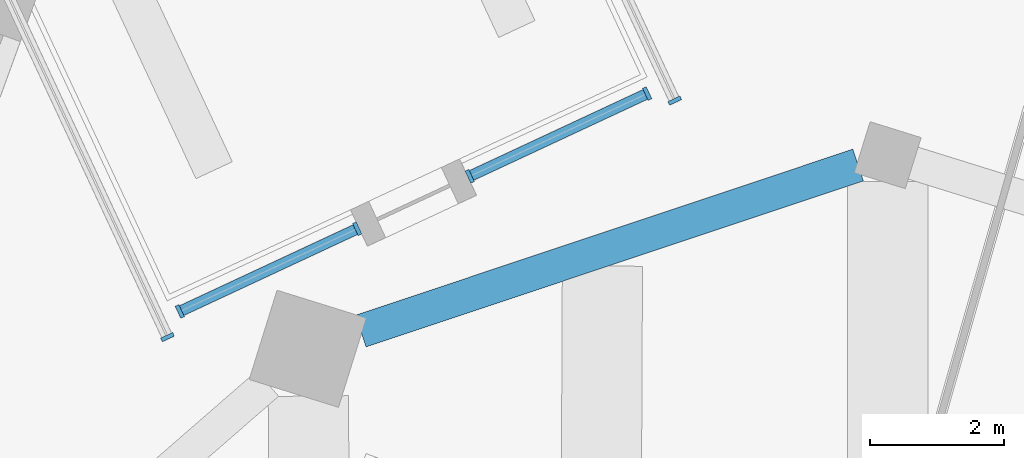
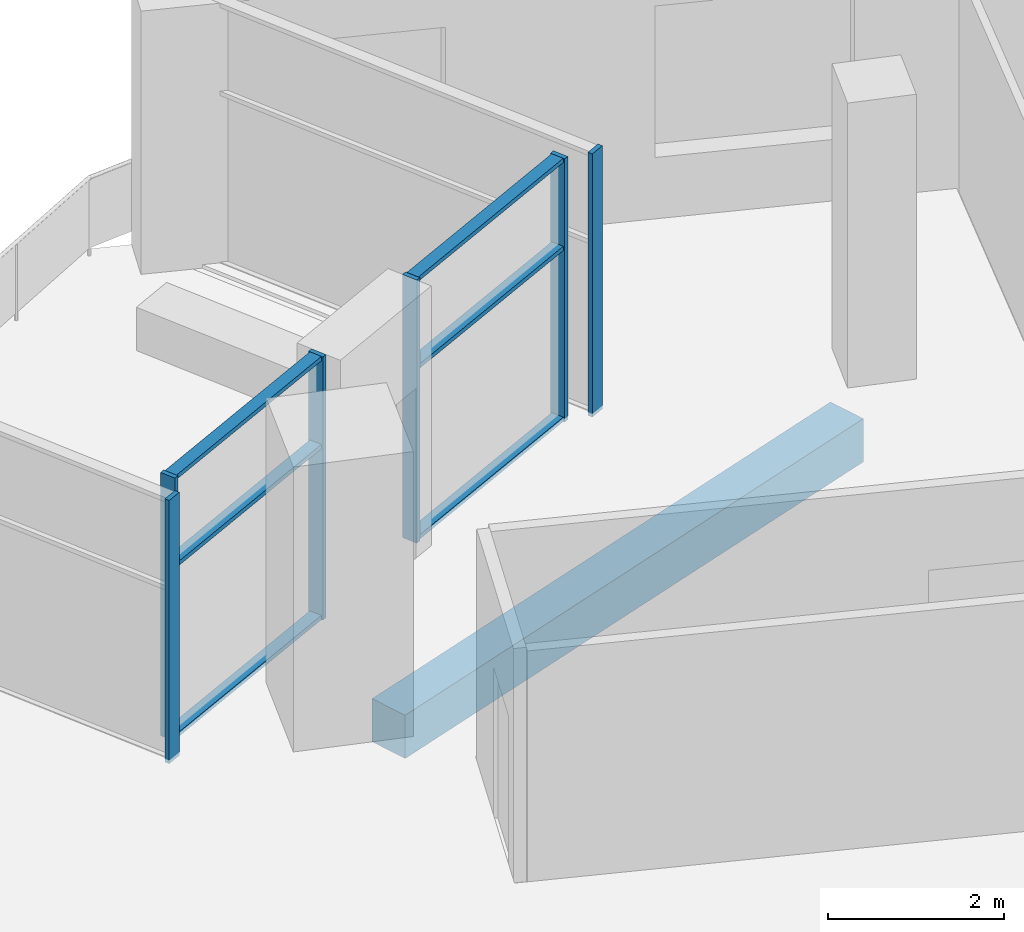
# One storey, part 2 of 13: 12 members, 1 beam, 4 elements without a shape of their own.
"""IFC4 building model written with IfcOpenShell, lengths in metres."""

import ifcopenshell
import ifcopenshell.guid

model = None  # the IFC model being written
_history = None  # IfcOwnerHistory: only IFC2X3 demands one
_inside = {}  # id of a spatial element -> (the spatial element, [elements in it])
_under = {}  # id of a project, library or spatial element -> (it, [spatial elements below it])
_declared = {}  # id of a project -> (the project, [libraries it declares])
_typed = {}  # id of a type object -> (the type object, [elements of that type])
_made_of = {}  # id of a material, layer set ... -> (it, [elements and type objects made of it])


def new_model(schema):
    """Start an empty IFC model of exactly this schema.

    Asked for "IFC4X3", IfcOpenShell would pick the latest addendum, in which some entities
    have other attributes; the version numbers below select the first issue.
    IFC2X3 requires an IfcOwnerHistory on every rooted entity: one is made here for all.
    """
    global model, _history
    if schema == "IFC4X3":
        model = ifcopenshell.file(schema_version=(4, 3, 0, 0))
    else:
        model = ifcopenshell.file(schema=schema)
    _inside.clear()
    _under.clear()
    _declared.clear()
    _typed.clear()
    _made_of.clear()
    _history = None
    if model.schema == "IFC2X3":
        org = make("IfcOrganization", Name="unknown")
        user = make(
            "IfcPersonAndOrganization",
            ThePerson=make("IfcPerson", FamilyName="unknown"),
            TheOrganization=org,
        )
        app = make(
            "IfcApplication",
            ApplicationDeveloper=org,
            Version="unknown",
            ApplicationFullName="unknown",
            ApplicationIdentifier="unknown",
        )
        _history = make(
            "IfcOwnerHistory",
            OwningUser=user,
            OwningApplication=app,
            ChangeAction="ADDED",
            CreationDate=0,
        )
    return model


def make(cls, **values):
    """One entity of the class cls with the attributes given. An attribute that is None is left unset."""
    return model.create_entity(
        cls, **{name: value for name, value in values.items() if value is not None}
    )


def rooted(cls, **values):
    """An entity with a GlobalId (a new one), such as an element, a storey or a relation."""
    return make(cls, GlobalId=ifcopenshell.guid.new(), OwnerHistory=_history, **values)


def si_unit(unit_type, name, prefix=None):
    """IfcSIUnit, for example si_unit("LENGTHUNIT", "METRE", prefix="MILLI")."""
    return make("IfcSIUnit", UnitType=unit_type, Prefix=prefix, Name=name)


def assignment(units):
    """IfcUnitAssignment: the units of a project."""
    return None if units is None else make("IfcUnitAssignment", Units=units)


def point(xyz):
    """IfcCartesianPoint."""
    return None if xyz is None else make("IfcCartesianPoint", Coordinates=xyz)


def direction(xyz):
    """IfcDirection."""
    return None if xyz is None else make("IfcDirection", DirectionRatios=xyz)


def frame(location, z_axis=None, x_axis=None):
    """IfcAxis2Placement3D, a coordinate frame: its origin and axes. An axis left out is left unset."""
    return make(
        "IfcAxis2Placement3D",
        Location=point(location),
        Axis=direction(z_axis),
        RefDirection=direction(x_axis),
    )


def frame_2d(location, x_axis=None):
    """IfcAxis2Placement2D, a coordinate frame in the plane: its origin and x axis."""
    return make(
        "IfcAxis2Placement2D", Location=point(location), RefDirection=direction(x_axis)
    )


def origin():
    """The frame at (0, 0, 0) with its axes left unset."""
    return frame((0.0, 0.0, 0.0))


def origin_2d():
    """The frame at (0, 0) in the plane with its x axis left unset."""
    return frame_2d((0.0, 0.0))


def place(relative_to, where):
    """IfcLocalPlacement: puts the frame where relative to a parent placement (None: the world)."""
    return make(
        "IfcLocalPlacement", PlacementRelTo=relative_to, RelativePlacement=where
    )


def context(
    kind, dimensions, precision=None, world=None, true_north=None, identifier=None
):
    """IfcGeometricRepresentationContext, for example the 3D "Model" context."""
    return make(
        "IfcGeometricRepresentationContext",
        ContextIdentifier=identifier,
        ContextType=kind,
        CoordinateSpaceDimension=dimensions,
        Precision=precision,
        WorldCoordinateSystem=world,
        TrueNorth=true_north,
    )


def subcontext(parent, identifier, kind, view, scale=None):
    """IfcGeometricRepresentationSubContext, for example "Body" below "Model"."""
    return make(
        "IfcGeometricRepresentationSubContext",
        ContextIdentifier=identifier,
        ContextType=kind,
        ParentContext=parent,
        TargetScale=scale,
        TargetView=view,
    )


def project(units=None, contexts=None):
    """IfcProject with its units and contexts."""
    return rooted(
        "IfcProject",
        Name="project",
        RepresentationContexts=contexts,
        UnitsInContext=assignment(units),
    )


def spatial(cls, under=None, at=None, **own):
    """A site, building, storey or space (cls), placed at a placement, below another one or the project."""
    s = rooted(cls, ObjectPlacement=at, **own)
    if under is not None:
        _under.setdefault(under.id(), (under, []))[1].append(s)
    return s


def profile(cls, at=None, kind="AREA", **sizes):
    """A parametric profile (cls). Its sizes go by their IFC names, for example OverallWidth=200.0."""
    return make(cls, ProfileType=kind, Position=at, **sizes)


def rectangle(**sizes):
    """IfcRectangleProfileDef."""
    return profile("IfcRectangleProfileDef", **sizes)


def extrude(swept, where, along, depth):
    """IfcExtrudedAreaSolid: the profile swept, set in the frame where, extruded along a direction by depth."""
    return make(
        "IfcExtrudedAreaSolid",
        SweptArea=swept,
        Position=where,
        ExtrudedDirection=direction(along),
        Depth=depth,
    )


def shape(context_of_items, identifier, shape_type, items):
    """IfcShapeRepresentation: the items that make up one representation, for example the "Body"."""
    return make(
        "IfcShapeRepresentation",
        ContextOfItems=context_of_items,
        RepresentationIdentifier=identifier,
        RepresentationType=shape_type,
        Items=items,
    )


def material(Name=None, Category=None):
    """IfcMaterial."""
    return make("IfcMaterial", Name=Name, Category=Category)


def material_profile(
    of_material, cross_section, Name=None, Category=None, Priority=None
):
    """IfcMaterialProfile: a cross section and its material."""
    return make(
        "IfcMaterialProfile",
        Name=Name,
        Material=of_material,
        Profile=cross_section,
        Priority=Priority,
        Category=Category,
    )


def profile_set(profiles, Name=None, composite=None):
    """IfcMaterialProfileSet."""
    return make(
        "IfcMaterialProfileSet",
        Name=Name,
        MaterialProfiles=profiles,
        CompositeProfile=composite,
    )


def made_of(thing, what):
    """Note that an element or type object is made of a material, layer set ...; save() writes the relation."""
    if what is not None:
        _made_of.setdefault(what.id(), (what, []))[1].append(thing)
    return thing


def type_object(cls, material=None, **own):
    """A type object (cls), such as IfcWallType, which elements share."""
    return made_of(rooted(cls, **own), material)


def element(
    cls,
    number,
    at=None,
    inside=None,
    cuts=None,
    type_object=None,
    material=None,
    context=None,
    identifier="Body",
    shape_type=None,
    held_by="IfcProductDefinitionShape",
    body=None,
    shapes=None,
    **own,
):
    """One element of the class cls, such as IfcWall. Its Tag is "e" and its number.

    at: its placement. inside: the storey or other place that contains it. cuts: it is an
    opening in that element (IfcRelVoidsElement). A single representation is given by context,
    identifier, shape_type and body (its items); several are given by shapes. held_by: the class
    of the entity that holds the representations. save() writes the other relations.
    """
    e = rooted(cls, Tag="e%d" % number, ObjectPlacement=at, **own)
    if body is not None:
        shapes = [shape(context, identifier, shape_type, body)]
    if shapes is not None:
        e.Representation = make(held_by, Representations=shapes)
    if inside is not None:
        _inside.setdefault(inside.id(), (inside, []))[1].append(e)
    if cuts is not None:
        rooted(
            "IfcRelVoidsElement", RelatingBuildingElement=cuts, RelatedOpeningElement=e
        )
    if type_object is not None:
        _typed.setdefault(type_object.id(), (type_object, []))[1].append(e)
    return made_of(e, material)


def aggregate(whole, parts):
    """IfcRelAggregates: a whole, such as a stair, and the parts it consists of."""
    return rooted("IfcRelAggregates", RelatingObject=whole, RelatedObjects=parts)


def save(model, path):
    """Write the relations noted so far, then the file.

    IfcRelAggregates (storeys below a building ...), IfcRelContainedInSpatialStructure (elements
    in a storey), IfcRelDefinesByType, IfcRelAssociatesMaterial and IfcRelDeclares: one each for
    every whole, place, type object, material and project.
    """
    for whole, parts in _under.values():
        aggregate(whole, parts)
    for where, things in _inside.values():
        rooted(
            "IfcRelContainedInSpatialStructure",
            RelatedElements=things,
            RelatingStructure=where,
        )
    for kind, things in _typed.values():
        rooted("IfcRelDefinesByType", RelatedObjects=things, RelatingType=kind)
    for what, things in _made_of.values():
        rooted("IfcRelAssociatesMaterial", RelatedObjects=things, RelatingMaterial=what)
    for by, libraries in _declared.values():
        rooted("IfcRelDeclares", RelatingContext=by, RelatedDefinitions=libraries)
    model.write(path)


model = new_model("IFC4")

# Units and contexts
model_context = context("Model", 3, precision=1e-05, world=origin(), true_north=direction((0.0, 1.0)))
body_context = subcontext(model_context, "Body", "Model", "MODEL_VIEW")
ifc_project = project(units=[si_unit("LENGTHUNIT", "METRE"), si_unit("AREAUNIT", "SQUARE_METRE"), si_unit("VOLUMEUNIT", "CUBIC_METRE"), si_unit("PLANEANGLEUNIT", "RADIAN"), si_unit("MASSUNIT", "GRAM", prefix="KILO")], contexts=[model_context])

# Site, building, storey
site_placement = place(None, origin())
site = spatial("IfcSite", under=ifc_project, at=site_placement, CompositionType="ELEMENT")
building_placement = place(site_placement, origin())
building = spatial("IfcBuilding", under=site, at=building_placement, Name="Dilmun Exchange Tower", CompositionType="ELEMENT")
storey_placement = place(building_placement, frame((0.0, 0.0, 312.5)))
storey = spatial("IfcBuildingStorey", under=building, at=storey_placement, Name="L74", CompositionType="ELEMENT", Elevation=312.5)

# Curtain wall, member
ifc_material_1 = material(Name="Anodised aluminium and clear glass", Category="aluminium")
curtain_wall_type = type_object("IfcCurtainWallType", Name="Garden corner glazing", PredefinedType="NOTDEFINED", material=ifc_material_1)
curtain_wall_1_placement = place(storey_placement, origin())
curtain_wall_1 = element("IfcCurtainWall", 1, at=curtain_wall_1_placement, inside=storey, type_object=curtain_wall_type, Name="Garden corner glazing run GC1.1", PredefinedType="NOTDEFINED")
ifc_material_2 = material(Name="Anodised aluminium", Category="aluminium")
ifc_material_profile_1 = material_profile(ifc_material_2, rectangle(XDim=0.199951171875, YDim=0.06005859375, at=origin_2d()), Name="AL 60x200")
ifc_profile_set_1 = profile_set([ifc_material_profile_1], Name="Anodised aluminium")
member_type_1 = type_object("IfcMemberType", Name="Garden corner glazing mullion 60 x 200", PredefinedType="MULLION", material=ifc_profile_set_1)
member_1_placement = place(storey_placement, frame((-7.043701171875, 30.037109375, 0.0), z_axis=(0.0, 0.0, 1.0), x_axis=(0.906305390357, 0.4226234014, 0.0)))
member_1 = element("IfcMember", 2, at=member_1_placement, type_object=member_type_1, Name="GC1.1 mullion 2", PredefinedType="MULLION", context=body_context, shape_type="SweptSolid", body=[
    extrude(rectangle(XDim=0.199951171875, YDim=0.06005859375, at=origin_2d()), origin(), (0.0, 0.0, 1.0), 3.64990234375),
])
aggregate(curtain_wall_1, [member_1])

# Curtain wall, members
curtain_wall_2_placement = place(storey_placement, origin())
curtain_wall_2 = element("IfcCurtainWall", 3, at=curtain_wall_2_placement, inside=storey, type_object=curtain_wall_type, Name="Garden corner glazing run GC2.1", PredefinedType="NOTDEFINED")
member_2_placement = place(storey_placement, frame((-7.456787109375, 30.142333984375, 0.0), z_axis=(0.0, 0.0, 1.0), x_axis=(0.422610719535, -0.906311303987, 0.0)))
member_2 = element("IfcMember", 4, at=member_2_placement, type_object=member_type_1, Name="GC2.1 mullion 1", PredefinedType="MULLION", context=body_context, shape_type="SweptSolid", body=[
    extrude(rectangle(XDim=0.199951171875, YDim=0.06005859375, at=origin_2d()), origin(), (0.0, 0.0, 1.0), 3.64990234375),
])
member_3_placement = place(storey_placement, frame((-10.111572265625, 28.904296875, 0.0), z_axis=(0.0, 0.0, 1.0), x_axis=(0.422610719535, -0.906311303987, 0.0)))
member_3 = element("IfcMember", 5, at=member_3_placement, type_object=member_type_1, Name="GC2.1 mullion 2", PredefinedType="MULLION", context=body_context, shape_type="SweptSolid", body=[
    extrude(rectangle(XDim=0.199951171875, YDim=0.06005859375, at=origin_2d()), origin(), (0.0, 0.0, 1.0), 3.64990234375),
])

curtain_wall_3_placement = place(storey_placement, origin())
curtain_wall_3 = element("IfcCurtainWall", 6, at=curtain_wall_3_placement, inside=storey, type_object=curtain_wall_type, Name="Garden corner glazing run GC2.3", PredefinedType="NOTDEFINED")
member_4_placement = place(storey_placement, frame((-11.79736328125, 28.1181640625, 0.0), z_axis=(0.0, 0.0, 1.0), x_axis=(0.422610719535, -0.906311303987, 0.0)))
member_4 = element("IfcMember", 7, at=member_4_placement, type_object=member_type_1, Name="GC2.3 mullion 1", PredefinedType="MULLION", context=body_context, shape_type="SweptSolid", body=[
    extrude(rectangle(XDim=0.199951171875, YDim=0.06005859375, at=origin_2d()), origin(), (0.0, 0.0, 1.0), 3.64990234375),
])
member_5_placement = place(storey_placement, frame((-14.451904296875, 26.88037109375, 0.0), z_axis=(0.0, 0.0, 1.0), x_axis=(0.422610719535, -0.906311303987, 0.0)))
member_5 = element("IfcMember", 8, at=member_5_placement, type_object=member_type_1, Name="GC2.3 mullion 2", PredefinedType="MULLION", context=body_context, shape_type="SweptSolid", body=[
    extrude(rectangle(XDim=0.199951171875, YDim=0.06005859375, at=origin_2d()), origin(), (0.0, 0.0, 1.0), 3.64990234375),
])

# Curtain wall, member
curtain_wall_4_placement = place(storey_placement, origin())
curtain_wall_4 = element("IfcCurtainWall", 9, at=curtain_wall_4_placement, inside=storey, type_object=curtain_wall_type, Name="Garden corner glazing run GC3.1", PredefinedType="NOTDEFINED")
member_6_placement = place(storey_placement, frame((-14.636962890625, 26.49609375, 0.0), z_axis=(0.0, 0.0, 1.0), x_axis=(-0.906305390357, -0.4226234014, 0.0)))
member_6 = element("IfcMember", 10, at=member_6_placement, type_object=member_type_1, Name="GC3.1 mullion 1", PredefinedType="MULLION", context=body_context, shape_type="SweptSolid", body=[
    extrude(rectangle(XDim=0.199951171875, YDim=0.06005859375, at=origin_2d()), origin(), (0.0, 0.0, 1.0), 3.64990234375),
])
aggregate(curtain_wall_4, [member_6])

# Member
ifc_material_profile_2 = material_profile(ifc_material_2, rectangle(XDim=0.159912109375, YDim=0.06005859375, at=origin_2d()), Name="AL 60x160")
ifc_profile_set_2 = profile_set([ifc_material_profile_2], Name="Anodised aluminium")
member_type_2 = type_object("IfcMemberType", Name="Garden corner glazing transom 60 x 160", PredefinedType="USERDEFINED", material=ifc_profile_set_2)
member_7_placement = place(storey_placement, frame((-7.484130859375, 30.129638671875, 0.030029296875), z_axis=(-0.906280946012, -0.422675817732, 0.0), x_axis=(0.422675817732, -0.906280946012, 0.0)))
member_7 = element("IfcMember", 11, at=member_7_placement, type_object=member_type_2, Name="GC2.1 transom 1.1", ObjectType="TRANSOM", PredefinedType="USERDEFINED", context=body_context, shape_type="SweptSolid", body=[
    extrude(rectangle(XDim=0.159912109375, YDim=0.06005859375, at=origin_2d()), origin(), (0.0, 0.0, 1.0), 2.868896484375),
])

member_8_placement = place(storey_placement, frame((-7.484130859375, 30.129638671875, 2.39990234375), z_axis=(-0.906280946012, -0.422675817732, 0.0), x_axis=(0.422675817732, -0.906280946012, 0.0)))
member_8 = element("IfcMember", 12, at=member_8_placement, type_object=member_type_2, Name="GC2.1 transom 1.2", ObjectType="TRANSOM", PredefinedType="USERDEFINED", context=body_context, shape_type="SweptSolid", body=[
    extrude(rectangle(XDim=0.159912109375, YDim=0.06005859375, at=origin_2d()), origin(), (0.0, 0.0, 1.0), 2.868896484375),
])

member_9_placement = place(storey_placement, frame((-7.484130859375, 30.129638671875, 3.6201171875), z_axis=(-0.906280946012, -0.422675817732, 0.0), x_axis=(0.422675817732, -0.906280946012, 0.0)))
member_9 = element("IfcMember", 13, at=member_9_placement, type_object=member_type_2, Name="GC2.1 transom 1.3", ObjectType="TRANSOM", PredefinedType="USERDEFINED", context=body_context, shape_type="SweptSolid", body=[
    extrude(rectangle(XDim=0.159912109375, YDim=0.06005859375, at=origin_2d()), origin(), (0.0, 0.0, 1.0), 2.868896484375),
])

aggregate(curtain_wall_2, [member_2, member_3, member_7, member_8, member_9])

member_10_placement = place(storey_placement, frame((-11.824462890625, 28.10546875, 0.030029296875), z_axis=(-0.906328738646, -0.422573327961, 0.0), x_axis=(0.422573327961, -0.906328738646, 0.0)))
member_10 = element("IfcMember", 14, at=member_10_placement, type_object=member_type_2, Name="GC2.3 transom 1.1", ObjectType="TRANSOM", PredefinedType="USERDEFINED", context=body_context, shape_type="SweptSolid", body=[
    extrude(rectangle(XDim=0.159912109375, YDim=0.06005859375, at=origin_2d()), origin(), (0.0, 0.0, 1.0), 2.869140625),
])

member_11_placement = place(storey_placement, frame((-11.824462890625, 28.10546875, 2.39990234375), z_axis=(-0.906328738646, -0.422573327961, 0.0), x_axis=(0.422573327961, -0.906328738646, 0.0)))
member_11 = element("IfcMember", 15, at=member_11_placement, type_object=member_type_2, Name="GC2.3 transom 1.2", ObjectType="TRANSOM", PredefinedType="USERDEFINED", context=body_context, shape_type="SweptSolid", body=[
    extrude(rectangle(XDim=0.159912109375, YDim=0.06005859375, at=origin_2d()), origin(), (0.0, 0.0, 1.0), 2.869140625),
])

member_12_placement = place(storey_placement, frame((-11.824462890625, 28.10546875, 3.6201171875), z_axis=(-0.906328738646, -0.422573327961, 0.0), x_axis=(0.422573327961, -0.906328738646, 0.0)))
member_12 = element("IfcMember", 16, at=member_12_placement, type_object=member_type_2, Name="GC2.3 transom 1.3", ObjectType="TRANSOM", PredefinedType="USERDEFINED", context=body_context, shape_type="SweptSolid", body=[
    extrude(rectangle(XDim=0.159912109375, YDim=0.06005859375, at=origin_2d()), origin(), (0.0, 0.0, 1.0), 2.869140625),
])

aggregate(curtain_wall_3, [member_4, member_5, member_10, member_11, member_12])

# Beam
ifc_material_3 = material(Name="Concrete C40/50", Category="concrete")
ifc_material_profile_3 = material_profile(ifc_material_3, rectangle(XDim=0.5, YDim=0.60009765625, at=origin_2d()), Name="500 x 600")
ifc_profile_set_3 = profile_set([ifc_material_profile_3], Name="Concrete C40/50")
beam_type = type_object("IfcBeamType", Name="RC ring beam 500 x 600 C40/50", PredefinedType="SPANDREL", material=ifc_profile_set_3)
beam_placement = place(storey_placement, frame((-4.298095703125, 29.072509765625, -0.64990234375), z_axis=(-0.94854014246, -0.316656909198, 0.0), x_axis=(0.316656909198, -0.94854014246, 0.0)))
element("IfcBeam", 17, at=beam_placement, inside=storey, type_object=beam_type, Name="Ring beam 16", PredefinedType="SPANDREL", context=body_context, shape_type="SweptSolid", body=[
    extrude(rectangle(XDim=0.5, YDim=0.60009765625, at=origin_2d()), origin(), (0.0, 0.0, 1.0), 7.850341796875),
])

save(model, "model.ifc")
